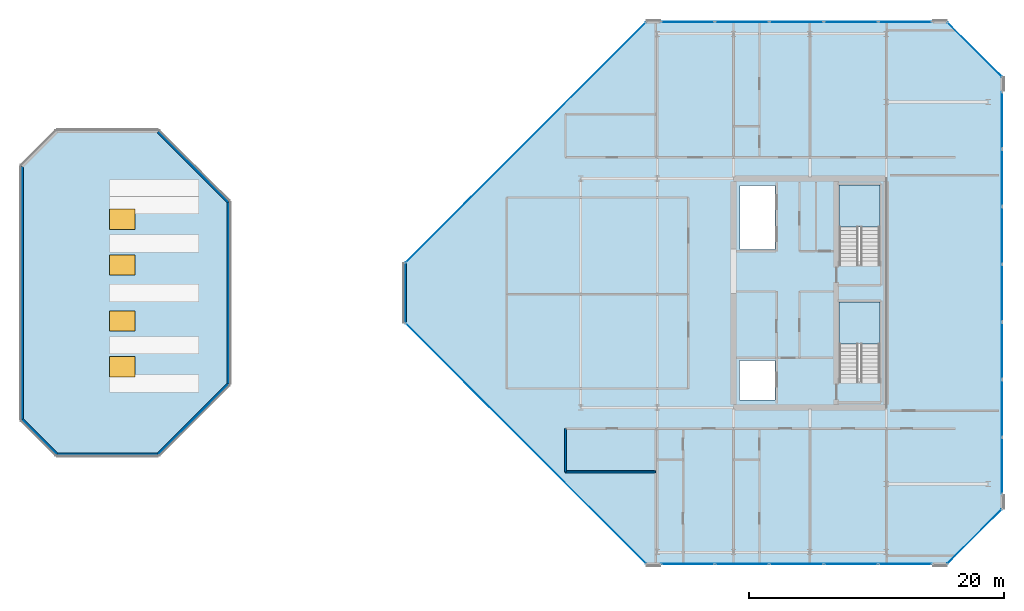
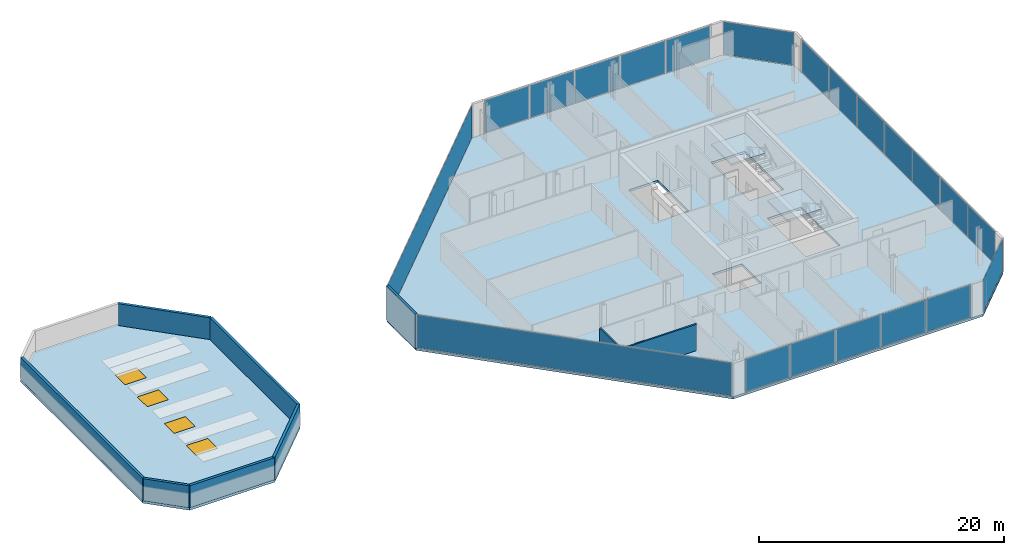
# One storey, part 14 of 19: 21 plates, 9 walls, 4 slabs, 4 windows, 4 openings, 9 elements without a shape of their own.
"""IFC4 building model written with IfcOpenShell, lengths in metres."""

from ifc_helpers import new_model, si_unit, direction, frame, frame_2d, origin, origin_2d, place, context, subcontext, project, spatial, polyline, rectangle, outline, extrude, material, layer, layer_set, type_object, element, fill, aggregate, save


model = new_model("IFC4")

# Units and contexts
model_context = context("Model", 3, precision=1e-05, world=origin(), true_north=direction((0.0, 1.0)))
body_context = subcontext(model_context, "Body", "Model", "MODEL_VIEW")
ifc_project = project(units=[si_unit("LENGTHUNIT", "METRE"), si_unit("AREAUNIT", "SQUARE_METRE"), si_unit("VOLUMEUNIT", "CUBIC_METRE"), si_unit("PLANEANGLEUNIT", "RADIAN"), si_unit("MASSUNIT", "GRAM", prefix="KILO")], contexts=[model_context])

# Site, building, storey
site_placement = place(None, origin())
site = spatial("IfcSite", under=ifc_project, at=site_placement, CompositionType="ELEMENT")
building_placement = place(site_placement, origin())
building = spatial("IfcBuilding", under=site, at=building_placement, Name="Tanjung Sevakor Pilgrim Tower", CompositionType="ELEMENT")
storey_placement = place(building_placement, frame((0.0, 0.0, 260.699951171875)))
storey = spatial("IfcBuildingStorey", under=building, at=storey_placement, Name="L73", CompositionType="ELEMENT", Elevation=260.699951171875)

# Slab, openings, windows
ifc_material_1 = material(Name="Concrete C40/50", Category="concrete")
ifc_layer_1 = layer(ifc_material_1, 0.260009765625)
ifc_layer_set_1 = layer_set([ifc_layer_1], Name="RF-WPEAK-260")
slab_type_1 = type_object("IfcSlabType", Name="RF-WPEAK-260", PredefinedType="ROOF", material=ifc_layer_set_1)
slab_1_placement = place(storey_placement, frame((0.0, 0.0, -0.260009765625)))
slab_1 = element("IfcSlab", 1, at=slab_1_placement, inside=storey, type_object=slab_type_1, Name="West Peak Crown Roof Slab", PredefinedType="ROOF", context=body_context, shape_type="SweptSolid", body=[
    extrude(outline(polyline([(24.800048828125, 20.800048828125), (32.85009765625, 20.800048828125), (38.449951171875, 26.39990234375), (38.449951171875, 40.800048828125), (32.85009765625, 46.39990234375), (24.800048828125, 46.39990234375), (22.0, 43.60009765625), (22.0, 23.60009765625), (24.800048828125, 20.800048828125)])), origin(), (0.0, 0.0, 1.0), 0.260009765625),
])
opening_1_placement = place(slab_1_placement, frame((30.0, 27.800048828125, 0.0)))
opening_1 = element("IfcOpeningElement", 2, at=opening_1_placement, cuts=slab_1, Name="Opening SK-CRN1", PredefinedType="OPENING", context=body_context, shape_type="SweptSolid", body=[
    extrude(rectangle(XDim=2.0, YDim=1.60009765625, at=origin_2d()), origin(), (0.0, 0.0, 1.0), 0.260009765625),
])
opening_2_placement = place(slab_1_placement, frame((30.0, 31.39990234375, 0.0)))
opening_2 = element("IfcOpeningElement", 3, at=opening_2_placement, cuts=slab_1, Name="Opening SK-CRN1", PredefinedType="OPENING", context=body_context, shape_type="SweptSolid", body=[
    extrude(rectangle(XDim=2.0, YDim=1.60009765625, at=origin_2d()), origin(), (0.0, 0.0, 1.0), 0.260009765625),
])
opening_3_placement = place(slab_1_placement, frame((30.0, 35.800048828125, 0.0)))
opening_3 = element("IfcOpeningElement", 4, at=opening_3_placement, cuts=slab_1, Name="Opening SK-CRN1", PredefinedType="OPENING", context=body_context, shape_type="SweptSolid", body=[
    extrude(rectangle(XDim=2.0, YDim=1.60009765625, at=origin_2d()), origin(), (0.0, 0.0, 1.0), 0.260009765625),
])
opening_4_placement = place(slab_1_placement, frame((30.0, 39.39990234375, 0.0)))
opening_4 = element("IfcOpeningElement", 5, at=opening_4_placement, cuts=slab_1, Name="Opening SK-CRN1", PredefinedType="OPENING", context=body_context, shape_type="SweptSolid", body=[
    extrude(rectangle(XDim=2.0, YDim=1.60009765625, at=origin_2d()), origin(), (0.0, 0.0, 1.0), 0.260009765625),
])
ifc_material_2 = material(Name="Thermally Broken Aluminium and Low-E Glass", Category="aluminium")
window_type = type_object("IfcWindowType", Name="WTYP-SK-CRN1", PartitioningType="DOUBLE_PANEL_VERTICAL", PredefinedType="SKYLIGHT", material=ifc_material_2)
window_1_placement = place(opening_1_placement, frame((0.0, 0.0, 0.2099609375)))
window_1 = element("IfcWindow", 6, at=window_1_placement, inside=storey, type_object=window_type, Name="West Peak Crown Skylight 1", OverallHeight=1.60009765625, OverallWidth=2.0, PartitioningType="SINGLE_PANEL", PredefinedType="SKYLIGHT", context=body_context, shape_type="SweptSolid", body=[
    extrude(rectangle(XDim=2.0, YDim=1.60009765625, at=origin_2d()), origin(), (0.0, 0.0, 1.0), 0.050048828125),
])
fill(opening_1, window_1)
window_2_placement = place(opening_2_placement, frame((0.0, 0.0, 0.2099609375)))
window_2 = element("IfcWindow", 7, at=window_2_placement, inside=storey, type_object=window_type, Name="West Peak Crown Skylight 2", OverallHeight=1.60009765625, OverallWidth=2.0, PartitioningType="SINGLE_PANEL", PredefinedType="SKYLIGHT", context=body_context, shape_type="SweptSolid", body=[
    extrude(rectangle(XDim=2.0, YDim=1.60009765625, at=origin_2d()), origin(), (0.0, 0.0, 1.0), 0.050048828125),
])
fill(opening_2, window_2)
window_3_placement = place(opening_3_placement, frame((0.0, 0.0, 0.2099609375)))
window_3 = element("IfcWindow", 8, at=window_3_placement, inside=storey, type_object=window_type, Name="West Peak Crown Skylight 3", OverallHeight=1.60009765625, OverallWidth=2.0, PartitioningType="SINGLE_PANEL", PredefinedType="SKYLIGHT", context=body_context, shape_type="SweptSolid", body=[
    extrude(rectangle(XDim=2.0, YDim=1.60009765625, at=origin_2d()), origin(), (0.0, 0.0, 1.0), 0.050048828125),
])
fill(opening_3, window_3)
window_4_placement = place(opening_4_placement, frame((0.0, 0.0, 0.2099609375)))
window_4 = element("IfcWindow", 9, at=window_4_placement, inside=storey, type_object=window_type, Name="West Peak Crown Skylight 4", OverallHeight=1.60009765625, OverallWidth=2.0, PartitioningType="SINGLE_PANEL", PredefinedType="SKYLIGHT", context=body_context, shape_type="SweptSolid", body=[
    extrude(rectangle(XDim=2.0, YDim=1.60009765625, at=origin_2d()), origin(), (0.0, 0.0, 1.0), 0.050048828125),
])
fill(opening_4, window_4)

# Stair, slab
ifc_material_3 = material(Name="Concrete C40/50", Category="concrete")
stair_type = type_object("IfcStairType", Name="STAIR-ST-CR150", PredefinedType="HALF_TURN_STAIR", material=ifc_material_3)
stair_1_placement = place(storey_placement, origin())
stair_1 = element("IfcStair", 10, at=stair_1_placement, inside=storey, type_object=stair_type, Name="L73 East Core Exit Stair 1", PredefinedType="HALF_TURN_STAIR")
ifc_material_4 = material(Name="Concrete C40/50", Category="concrete")
ifc_layer_2 = layer(ifc_material_4, 0.199951171875)
ifc_layer_set_2 = layer_set([ifc_layer_2], Name="SL-LAND-200")
slab_type_2 = type_object("IfcSlabType", Name="SL-LAND-200", PredefinedType="LANDING", material=ifc_layer_set_2)
slab_2_placement = place(storey_placement, frame((0.0, 0.0, 1.614990234375)))
slab_2 = element("IfcSlab", 11, at=slab_2_placement, type_object=slab_type_2, Name="TS-E1 landing 1", PredefinedType="LANDING", context=body_context, shape_type="SweptSolid", body=[
    extrude(outline(polyline([(89.5, 29.60009765625), (89.5, 32.89990234375), (86.300048828125, 32.89990234375), (86.300048828125, 29.60009765625), (89.5, 29.60009765625)])), origin(), (0.0, 0.0, 1.0), 0.199951171875),
])
aggregate(stair_1, [slab_2])

stair_2_placement = place(storey_placement, origin())
stair_2 = element("IfcStair", 12, at=stair_2_placement, inside=storey, type_object=stair_type, Name="L73 East Core Exit Stair 2", PredefinedType="HALF_TURN_STAIR")
slab_3_placement = place(storey_placement, frame((0.0, 0.0, 1.614990234375)))
slab_3 = element("IfcSlab", 13, at=slab_3_placement, type_object=slab_type_2, Name="TS-E2 landing 1", PredefinedType="LANDING", context=body_context, shape_type="SweptSolid", body=[
    extrude(outline(polyline([(89.5, 38.800048828125), (89.5, 42.10009765625), (86.300048828125, 42.10009765625), (86.300048828125, 38.800048828125), (89.5, 38.800048828125)])), origin(), (0.0, 0.0, 1.0), 0.199951171875),
])
aggregate(stair_2, [slab_3])

# Slab
ifc_material_5 = material(Name="Concrete C40/50", Category="concrete")
ifc_layer_3 = layer(ifc_material_5, 0.219970703125)
ifc_layer_set_3 = layer_set([ifc_layer_3], Name="SL-TWR-220")
slab_type_3 = type_object("IfcSlabType", Name="SL-TWR-220", PredefinedType="FLOOR", material=ifc_layer_set_3)
slab_4_placement = place(storey_placement, frame((0.0, 0.0, -0.219970703125)))
element("IfcSlab", 14, at=slab_4_placement, inside=storey, type_object=slab_type_3, Name="L73 Floor Slab EAST", PredefinedType="FLOOR", context=body_context, shape_type="SweptSolid", body=[
    extrude(outline(polyline([(71.14697265625, 12.280029296875), (94.753173828125, 12.280029296875), (99.1201171875, 16.64697265625), (99.1201171875, 50.552978515625), (94.753173828125, 54.919921875), (71.14697265625, 54.919921875), (52.179931640625, 35.953125), (52.179931640625, 31.246826171875), (71.14697265625, 12.280029296875)]), holes=[polyline([(89.5, 26.60009765625), (89.5, 32.89990234375), (86.300048828125, 32.89990234375), (86.300048828125, 26.60009765625), (89.5, 26.60009765625)]), polyline([(89.5, 35.800048828125), (89.5, 42.10009765625), (86.300048828125, 42.10009765625), (86.300048828125, 35.800048828125), (89.5, 35.800048828125)]), polyline([(78.449951171875, 25.199951171875), (81.25, 25.199951171875), (81.25, 28.300048828125), (78.449951171875, 28.300048828125), (78.449951171875, 25.199951171875)]), polyline([(78.5, 37.0), (81.25, 37.0), (81.25, 42.050048828125), (78.5, 42.050048828125), (78.5, 37.0)])]), origin(), (0.0, 0.0, 1.0), 0.219970703125),
])

# Curtain wall, plate
ifc_material_6 = material(Name="Aluminium 6063-T6 and Low-E Glass", Category="aluminium")
ifc_layer_4 = layer(ifc_material_6, 0.179931640625)
ifc_layer_set_4 = layer_set([ifc_layer_4], Name="CW-SYS-CHAM")
curtain_wall_type_1 = type_object("IfcCurtainWallType", Name="CW-SYS-CHAM", PredefinedType="NOTDEFINED", material=ifc_layer_set_4)
curtain_wall_1_placement = place(storey_placement, origin())
curtain_wall_1 = element("IfcCurtainWall", 15, at=curtain_wall_1_placement, inside=storey, type_object=curtain_wall_type_1, Name="L73 Curtain Wall CW-CHM-L73-EAST-1", PredefinedType="NOTDEFINED")
ifc_material_7 = material(Name="Laminated Low-E Double Glazing", Category="glass")
ifc_layer_5 = layer(ifc_material_7, 0.028076171875)
ifc_layer_set_5 = layer_set([ifc_layer_5], Name="TYPE-CWP-GLZ1")
plate_type_1 = type_object("IfcPlateType", Name="TYPE-CWP-GLZ1", PredefinedType="CURTAIN_PANEL", material=ifc_layer_set_5)
plate_1_placement = place(storey_placement, frame((96.922119140625, 14.477783203125, 0.06494140625), z_axis=(0.0, 0.0, 1.0), x_axis=(0.707106781187, 0.707106781187, 0.0)))
plate_1 = element("IfcPlate", 16, at=plate_1_placement, type_object=plate_type_1, Name="CW-CHM panel 1.1", PredefinedType="CURTAIN_PANEL", context=body_context, shape_type="SweptSolid", body=[
    extrude(rectangle(XDim=6.00146484375, YDim=0.028076171875, at=origin_2d()), origin(), (0.0, 0.0, 1.0), 3.280029296875),
])
aggregate(curtain_wall_1, [plate_1])

curtain_wall_2_placement = place(storey_placement, origin())
curtain_wall_2 = element("IfcCurtainWall", 17, at=curtain_wall_2_placement, inside=storey, type_object=curtain_wall_type_1, Name="L73 Curtain Wall CW-CHM-L73-EAST-3", PredefinedType="NOTDEFINED")
plate_2_placement = place(storey_placement, frame((96.922119140625, 52.72216796875, 0.06494140625), z_axis=(0.0, 0.0, 1.0), x_axis=(-0.707106781187, 0.707106781187, 0.0)))
plate_2 = element("IfcPlate", 18, at=plate_2_placement, type_object=plate_type_1, Name="CW-CHM panel 1.1", PredefinedType="CURTAIN_PANEL", context=body_context, shape_type="SweptSolid", body=[
    extrude(rectangle(XDim=6.00146484375, YDim=0.028076171875, at=origin_2d()), origin(), (0.0, 0.0, 1.0), 3.280029296875),
])
aggregate(curtain_wall_2, [plate_2])

curtain_wall_3_placement = place(storey_placement, origin())
curtain_wall_3 = element("IfcCurtainWall", 19, at=curtain_wall_3_placement, inside=storey, type_object=curtain_wall_type_1, Name="L73 Curtain Wall CW-CHM-L73-EAST-5", PredefinedType="NOTDEFINED")
plate_3_placement = place(storey_placement, frame((61.677734375, 45.422119140625, 0.06494140625), z_axis=(0.0, 0.0, 1.0), x_axis=(-0.707106781187, -0.707106781187, 0.0)))
plate_3 = element("IfcPlate", 20, at=plate_3_placement, type_object=plate_type_1, Name="CW-CHM panel 1.1", PredefinedType="CURTAIN_PANEL", context=body_context, shape_type="SweptSolid", body=[
    extrude(rectangle(XDim=26.64892578125, YDim=0.028076171875, at=origin_2d()), origin(), (0.0, 0.0, 1.0), 3.280029296875),
])
aggregate(curtain_wall_3, [plate_3])

curtain_wall_4_placement = place(storey_placement, origin())
curtain_wall_4 = element("IfcCurtainWall", 21, at=curtain_wall_4_placement, inside=storey, type_object=curtain_wall_type_1, Name="L73 Curtain Wall CW-CHM-L73-EAST-7", PredefinedType="NOTDEFINED")
plate_4_placement = place(storey_placement, frame((61.677734375, 21.77783203125, 0.06494140625), z_axis=(0.0, 0.0, 1.0), x_axis=(0.707106781187, -0.707106781187, 0.0)))
plate_4 = element("IfcPlate", 22, at=plate_4_placement, type_object=plate_type_1, Name="CW-CHM panel 1.1", PredefinedType="CURTAIN_PANEL", context=body_context, shape_type="SweptSolid", body=[
    extrude(rectangle(XDim=26.64892578125, YDim=0.028076171875, at=origin_2d()), origin(), (0.0, 0.0, 1.0), 3.280029296875),
])
aggregate(curtain_wall_4, [plate_4])

# Curtain wall, plates
ifc_material_8 = material(Name="Aluminium 6063-T6 and Low-E Glass", Category="aluminium")
ifc_layer_6 = layer(ifc_material_8, 0.219970703125)
ifc_layer_set_6 = layer_set([ifc_layer_6], Name="CW-SYS-CRNE")
curtain_wall_type_2 = type_object("IfcCurtainWallType", Name="CW-SYS-CRNE", PredefinedType="NOTDEFINED", material=ifc_layer_set_6)
curtain_wall_5_placement = place(storey_placement, origin())
curtain_wall_5 = element("IfcCurtainWall", 23, at=curtain_wall_5_placement, inside=storey, type_object=curtain_wall_type_2, Name="L73 Curtain Wall CW-CRN-L73-EAST-0-1", PredefinedType="NOTDEFINED")
ifc_material_9 = material(Name="Solar-Control Low-E Acoustic Glazing", Category="glass")
ifc_layer_7 = layer(ifc_material_9, 0.031982421875)
ifc_layer_set_7 = layer_set([ifc_layer_7], Name="TYPE-CWP-GLZ2")
plate_type_2 = type_object("IfcPlateType", Name="TYPE-CWP-GLZ2", PredefinedType="CURTAIN_PANEL", material=ifc_layer_set_7)
plate_5_placement = place(storey_placement, frame((74.406494140625, 12.31005859375, 0.080078125), z_axis=(0.0, 0.0, 1.0), x_axis=(1.0, 0.0, 0.0)))
plate_5 = element("IfcPlate", 24, at=plate_5_placement, type_object=plate_type_2, Name="CW-CRE panel 1.1", PredefinedType="CURTAIN_PANEL", context=body_context, shape_type="SweptSolid", body=[
    extrude(rectangle(XDim=4.161865234375, YDim=0.031982421875, at=origin_2d()), origin(), (0.0, 0.0, 1.0), 3.25),
])
plate_6_placement = place(storey_placement, frame((78.668212890625, 12.31005859375, 0.080078125), z_axis=(0.0, 0.0, 1.0), x_axis=(1.0, 0.0, 0.0)))
plate_6 = element("IfcPlate", 25, at=plate_6_placement, type_object=plate_type_2, Name="CW-CRE panel 2.1", PredefinedType="CURTAIN_PANEL", context=body_context, shape_type="SweptSolid", body=[
    extrude(rectangle(XDim=4.20166015625, YDim=0.031982421875, at=origin_2d()), origin(), (0.0, 0.0, 1.0), 3.25),
])
plate_7_placement = place(storey_placement, frame((82.949951171875, 12.31005859375, 0.080078125), z_axis=(0.0, 0.0, 1.0), x_axis=(1.0, 0.0, 0.0)))
plate_7 = element("IfcPlate", 26, at=plate_7_placement, type_object=plate_type_2, Name="CW-CRE panel 3.1", PredefinedType="CURTAIN_PANEL", context=body_context, shape_type="SweptSolid", body=[
    extrude(rectangle(XDim=4.20166015625, YDim=0.031982421875, at=origin_2d()), origin(), (0.0, 0.0, 1.0), 3.25),
])
plate_8_placement = place(storey_placement, frame((87.231689453125, 12.31005859375, 0.080078125), z_axis=(0.0, 0.0, 1.0), x_axis=(1.0, 0.0, 0.0)))
plate_8 = element("IfcPlate", 27, at=plate_8_placement, type_object=plate_type_2, Name="CW-CRE panel 4.1", PredefinedType="CURTAIN_PANEL", context=body_context, shape_type="SweptSolid", body=[
    extrude(rectangle(XDim=4.20166015625, YDim=0.031982421875, at=origin_2d()), origin(), (0.0, 0.0, 1.0), 3.25),
])
plate_9_placement = place(storey_placement, frame((91.493408203125, 12.31005859375, 0.080078125), z_axis=(0.0, 0.0, 1.0), x_axis=(1.0, 0.0, 0.0)))
plate_9 = element("IfcPlate", 28, at=plate_9_placement, type_object=plate_type_2, Name="CW-CRE panel 5.1", PredefinedType="CURTAIN_PANEL", context=body_context, shape_type="SweptSolid", body=[
    extrude(rectangle(XDim=4.161865234375, YDim=0.031982421875, at=origin_2d()), origin(), (0.0, 0.0, 1.0), 3.25),
])
aggregate(curtain_wall_5, [plate_5, plate_6, plate_7, plate_8, plate_9])

curtain_wall_6_placement = place(storey_placement, origin())
curtain_wall_6 = element("IfcCurtainWall", 29, at=curtain_wall_6_placement, inside=storey, type_object=curtain_wall_type_2, Name="L73 Curtain Wall CW-CRN-L73-EAST-2-1", PredefinedType="NOTDEFINED")
plate_10_placement = place(storey_placement, frame((99.090087890625, 20.030517578125, 0.080078125), z_axis=(0.0, 0.0, 1.0), x_axis=(0.0, 1.0, 0.0)))
plate_10 = element("IfcPlate", 30, at=plate_10_placement, type_object=plate_type_2, Name="CW-CRE panel 1.1", PredefinedType="CURTAIN_PANEL", context=body_context, shape_type="SweptSolid", body=[
    extrude(rectangle(XDim=4.409912109375, YDim=0.031982421875, at=origin_2d()), origin(), (0.0, 0.0, 1.0), 3.25),
])
plate_11_placement = place(storey_placement, frame((99.090087890625, 24.540283203125, 0.080078125), z_axis=(0.0, 0.0, 1.0), x_axis=(0.0, 1.0, 0.0)))
plate_11 = element("IfcPlate", 31, at=plate_11_placement, type_object=plate_type_2, Name="CW-CRE panel 2.1", PredefinedType="CURTAIN_PANEL", context=body_context, shape_type="SweptSolid", body=[
    extrude(rectangle(XDim=4.44970703125, YDim=0.031982421875, at=origin_2d()), origin(), (0.0, 0.0, 1.0), 3.25),
])
plate_12_placement = place(storey_placement, frame((99.090087890625, 29.070068359375, 0.080078125), z_axis=(0.0, 0.0, 1.0), x_axis=(0.0, 1.0, 0.0)))
plate_12 = element("IfcPlate", 32, at=plate_12_placement, type_object=plate_type_2, Name="CW-CRE panel 3.1", PredefinedType="CURTAIN_PANEL", context=body_context, shape_type="SweptSolid", body=[
    extrude(rectangle(XDim=4.44970703125, YDim=0.031982421875, at=origin_2d()), origin(), (0.0, 0.0, 1.0), 3.25),
])
plate_13_placement = place(storey_placement, frame((99.090087890625, 33.60009765625, 0.080078125), z_axis=(0.0, 0.0, 1.0), x_axis=(0.0, 1.0, 0.0)))
plate_13 = element("IfcPlate", 33, at=plate_13_placement, type_object=plate_type_2, Name="CW-CRE panel 4.1", PredefinedType="CURTAIN_PANEL", context=body_context, shape_type="SweptSolid", body=[
    extrude(rectangle(XDim=4.44970703125, YDim=0.031982421875, at=origin_2d()), origin(), (0.0, 0.0, 1.0), 3.25),
])
plate_14_placement = place(storey_placement, frame((99.090087890625, 38.1298828125, 0.080078125), z_axis=(0.0, 0.0, 1.0), x_axis=(0.0, 1.0, 0.0)))
plate_14 = element("IfcPlate", 34, at=plate_14_placement, type_object=plate_type_2, Name="CW-CRE panel 5.1", PredefinedType="CURTAIN_PANEL", context=body_context, shape_type="SweptSolid", body=[
    extrude(rectangle(XDim=4.44970703125, YDim=0.031982421875, at=origin_2d()), origin(), (0.0, 0.0, 1.0), 3.25),
])
plate_15_placement = place(storey_placement, frame((99.090087890625, 42.65966796875, 0.080078125), z_axis=(0.0, 0.0, 1.0), x_axis=(0.0, 1.0, 0.0)))
plate_15 = element("IfcPlate", 35, at=plate_15_placement, type_object=plate_type_2, Name="CW-CRE panel 6.1", PredefinedType="CURTAIN_PANEL", context=body_context, shape_type="SweptSolid", body=[
    extrude(rectangle(XDim=4.44970703125, YDim=0.031982421875, at=origin_2d()), origin(), (0.0, 0.0, 1.0), 3.25),
])
plate_16_placement = place(storey_placement, frame((99.090087890625, 47.16943359375, 0.080078125), z_axis=(0.0, 0.0, 1.0), x_axis=(0.0, 1.0, 0.0)))
plate_16 = element("IfcPlate", 36, at=plate_16_placement, type_object=plate_type_2, Name="CW-CRE panel 7.1", PredefinedType="CURTAIN_PANEL", context=body_context, shape_type="SweptSolid", body=[
    extrude(rectangle(XDim=4.409912109375, YDim=0.031982421875, at=origin_2d()), origin(), (0.0, 0.0, 1.0), 3.25),
])
aggregate(curtain_wall_6, [plate_10, plate_11, plate_12, plate_13, plate_14, plate_15, plate_16])

curtain_wall_7_placement = place(storey_placement, origin())
curtain_wall_7 = element("IfcCurtainWall", 37, at=curtain_wall_7_placement, inside=storey, type_object=curtain_wall_type_2, Name="L73 Curtain Wall CW-CRN-L73-EAST-4-1", PredefinedType="NOTDEFINED")
plate_17_placement = place(storey_placement, frame((91.493408203125, 54.889892578125, 0.080078125), z_axis=(0.0, 0.0, 1.0), x_axis=(-1.0, 0.0, 0.0)))
plate_17 = element("IfcPlate", 38, at=plate_17_placement, type_object=plate_type_2, Name="CW-CRE panel 1.1", PredefinedType="CURTAIN_PANEL", context=body_context, shape_type="SweptSolid", body=[
    extrude(rectangle(XDim=4.161865234375, YDim=0.031982421875, at=origin_2d()), origin(), (0.0, 0.0, 1.0), 3.25),
])
plate_18_placement = place(storey_placement, frame((87.231689453125, 54.889892578125, 0.080078125), z_axis=(0.0, 0.0, 1.0), x_axis=(-1.0, 0.0, 0.0)))
plate_18 = element("IfcPlate", 39, at=plate_18_placement, type_object=plate_type_2, Name="CW-CRE panel 2.1", PredefinedType="CURTAIN_PANEL", context=body_context, shape_type="SweptSolid", body=[
    extrude(rectangle(XDim=4.20166015625, YDim=0.031982421875, at=origin_2d()), origin(), (0.0, 0.0, 1.0), 3.25),
])
plate_19_placement = place(storey_placement, frame((82.949951171875, 54.889892578125, 0.080078125), z_axis=(0.0, 0.0, 1.0), x_axis=(-1.0, 0.0, 0.0)))
plate_19 = element("IfcPlate", 40, at=plate_19_placement, type_object=plate_type_2, Name="CW-CRE panel 3.1", PredefinedType="CURTAIN_PANEL", context=body_context, shape_type="SweptSolid", body=[
    extrude(rectangle(XDim=4.20166015625, YDim=0.031982421875, at=origin_2d()), origin(), (0.0, 0.0, 1.0), 3.25),
])
plate_20_placement = place(storey_placement, frame((78.668212890625, 54.889892578125, 0.080078125), z_axis=(0.0, 0.0, 1.0), x_axis=(-1.0, 0.0, 0.0)))
plate_20 = element("IfcPlate", 41, at=plate_20_placement, type_object=plate_type_2, Name="CW-CRE panel 4.1", PredefinedType="CURTAIN_PANEL", context=body_context, shape_type="SweptSolid", body=[
    extrude(rectangle(XDim=4.20166015625, YDim=0.031982421875, at=origin_2d()), origin(), (0.0, 0.0, 1.0), 3.25),
])
plate_21_placement = place(storey_placement, frame((74.406494140625, 54.889892578125, 0.080078125), z_axis=(0.0, 0.0, 1.0), x_axis=(-1.0, 0.0, 0.0)))
plate_21 = element("IfcPlate", 42, at=plate_21_placement, type_object=plate_type_2, Name="CW-CRE panel 5.1", PredefinedType="CURTAIN_PANEL", context=body_context, shape_type="SweptSolid", body=[
    extrude(rectangle(XDim=4.161865234375, YDim=0.031982421875, at=origin_2d()), origin(), (0.0, 0.0, 1.0), 3.25),
])
aggregate(curtain_wall_7, [plate_17, plate_18, plate_19, plate_20, plate_21])

# Walls
ifc_material_10 = material(Name="Concrete C40/50", Category="concrete")
ifc_layer_8 = layer(ifc_material_10, 0.14990234375)
ifc_layer_set_8 = layer_set([ifc_layer_8], Name="WT-COMP-150")
wall_type_1 = type_object("IfcWallType", Name="WT-COMP-150", PredefinedType="SOLIDWALL", material=ifc_layer_set_8)
wall_1_placement = place(storey_placement, frame((64.800048828125, 19.550048828125, 0.0), z_axis=(0.0, 0.0, 1.0), x_axis=(1.0, 0.0, 0.0)))
element("IfcWall", 43, at=wall_1_placement, inside=storey, type_object=wall_type_1, Name="L73 Partition IW-L73-013", PredefinedType="SOLIDWALL", context=body_context, shape_type="SweptSolid", body=[
    extrude(rectangle(XDim=7.079833984375, YDim=0.14990234375, at=frame_2d((3.5400390625, 0.0))), origin(), (0.0, 0.0, 1.0), 2.6298828125),
])
wall_2_placement = place(storey_placement, frame((64.800048828125, 19.550048828125, 0.0), z_axis=(0.0, 0.0, 1.0), x_axis=(0.0, 1.0, 0.0)))
element("IfcWall", 44, at=wall_2_placement, inside=storey, type_object=wall_type_1, Name="L73 Partition IW-L73-015", PredefinedType="SOLIDWALL", context=body_context, shape_type="SweptSolid", body=[
    extrude(rectangle(XDim=3.39990234375, YDim=0.14990234375, at=frame_2d((1.699951171875, 0.0))), origin(), (0.0, 0.0, 1.0), 2.6298828125),
])
ifc_material_11 = material(Name="Precast concrete C45/55", Category="concrete")
ifc_layer_9 = layer(ifc_material_11, 0.239990234375)
ifc_layer_set_9 = layer_set([ifc_layer_9], Name="WT-EW-PAR1")
wall_type_2 = type_object("IfcWallType", Name="WT-EW-PAR1", PredefinedType="PARAPET", material=ifc_layer_set_9)
wall_3_placement = place(storey_placement, frame((24.849609375, 20.919921875, 0.0), z_axis=(0.0, 0.0, 1.0), x_axis=(1.0, 0.0, 0.0)))
element("IfcWall", 45, at=wall_3_placement, inside=storey, type_object=wall_type_2, Name="West Peak Roof Parapet 1", PredefinedType="PARAPET", context=body_context, shape_type="SweptSolid", body=[
    extrude(rectangle(XDim=7.95068359375, YDim=0.239990234375, at=frame_2d((3.975341796875, 0.0))), origin(), (0.0, 0.0, 1.0), 2.179931640625),
])
wall_4_placement = place(storey_placement, frame((32.80029296875, 20.919921875, 0.0), z_axis=(0.0, 0.0, 1.0), x_axis=(0.707106781187, 0.707106781187, 0.0)))
element("IfcWall", 46, at=wall_4_placement, inside=storey, type_object=wall_type_2, Name="West Peak Roof Parapet 2", PredefinedType="PARAPET", context=body_context, shape_type="SweptSolid", body=[
    extrude(rectangle(XDim=7.8203125, YDim=0.239990234375, at=frame_2d((3.91015625, 0.0))), origin(), (0.0, 0.0, 1.0), 2.179931640625),
])
wall_5_placement = place(storey_placement, frame((38.330078125, 26.44970703125, 0.0), z_axis=(0.0, 0.0, 1.0), x_axis=(0.0, 1.0, 0.0)))
element("IfcWall", 47, at=wall_5_placement, inside=storey, type_object=wall_type_2, Name="West Peak Roof Parapet 3", PredefinedType="PARAPET", context=body_context, shape_type="SweptSolid", body=[
    extrude(rectangle(XDim=14.300537109375, YDim=0.239990234375, at=frame_2d((7.150390625, 0.0))), origin(), (0.0, 0.0, 1.0), 2.179931640625),
])
wall_6_placement = place(storey_placement, frame((38.330078125, 40.750244140625, 0.0), z_axis=(0.0, 0.0, 1.0), x_axis=(-0.707106781187, 0.707106781187, 0.0)))
element("IfcWall", 48, at=wall_6_placement, inside=storey, type_object=wall_type_2, Name="West Peak Roof Parapet 4", PredefinedType="PARAPET", context=body_context, shape_type="SweptSolid", body=[
    extrude(rectangle(XDim=7.8203125, YDim=0.239990234375, at=frame_2d((3.91015625, 0.0))), origin(), (0.0, 0.0, 1.0), 2.179931640625),
])
wall_7_placement = place(storey_placement, frame((22.1201171875, 43.55029296875, 0.0), z_axis=(0.0, 0.0, 1.0), x_axis=(0.0, -1.0, 0.0)))
element("IfcWall", 49, at=wall_7_placement, inside=storey, type_object=wall_type_2, Name="West Peak Roof Parapet 7", PredefinedType="PARAPET", context=body_context, shape_type="SweptSolid", body=[
    extrude(rectangle(XDim=19.900634765625, YDim=0.239990234375, at=frame_2d((9.9501953125, 0.0))), origin(), (0.0, 0.0, 1.0), 2.179931640625),
])
wall_8_placement = place(storey_placement, frame((22.1201171875, 23.649658203125, 0.0), z_axis=(0.0, 0.0, 1.0), x_axis=(0.707075158156, -0.707138402803, 0.0)))
element("IfcWall", 50, at=wall_8_placement, inside=storey, type_object=wall_type_2, Name="West Peak Roof Parapet 8", PredefinedType="PARAPET", context=body_context, shape_type="SweptSolid", body=[
    extrude(rectangle(XDim=3.8603515625, YDim=0.239990234375, at=frame_2d((1.93017578125, 0.0))), origin(), (0.0, 0.0, 1.0), 2.179931640625),
])
ifc_material_12 = material(Name="Precast concrete C45/55", Category="concrete")
ifc_layer_10 = layer(ifc_material_12, 0.219970703125)
ifc_layer_set_10 = layer_set([ifc_layer_10], Name="WT-EW-STN4")
wall_type_3 = type_object("IfcWallType", Name="WT-EW-STN4", PredefinedType="SOLIDWALL", material=ifc_layer_set_10)
wall_9_placement = place(storey_placement, frame((52.2099609375, 35.954345703125, 0.0), z_axis=(0.0, 0.0, 1.0), x_axis=(0.0, -1.0, 0.0)))
element("IfcWall", 51, at=wall_9_placement, inside=storey, type_object=wall_type_3, Name="L73 EAST Exterior Wall 7", PredefinedType="SOLIDWALL", context=body_context, shape_type="SweptSolid", body=[
    extrude(rectangle(XDim=4.708740234375, YDim=0.219970703125, at=frame_2d((2.3544921875, 0.0))), origin(), (0.0, 0.0, 1.0), 3.409912109375),
])

save(model, "model.ifc")
